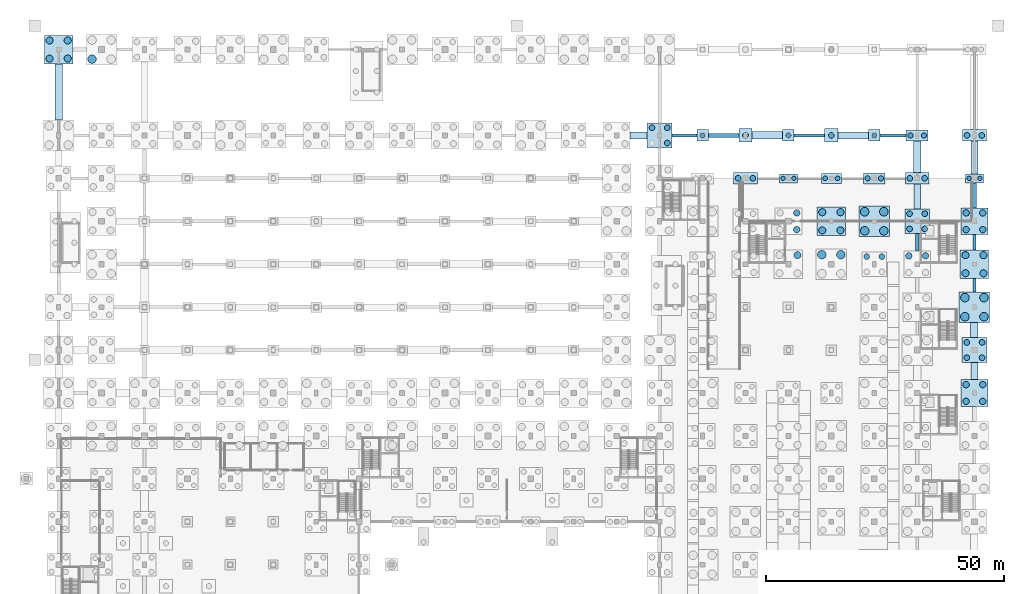
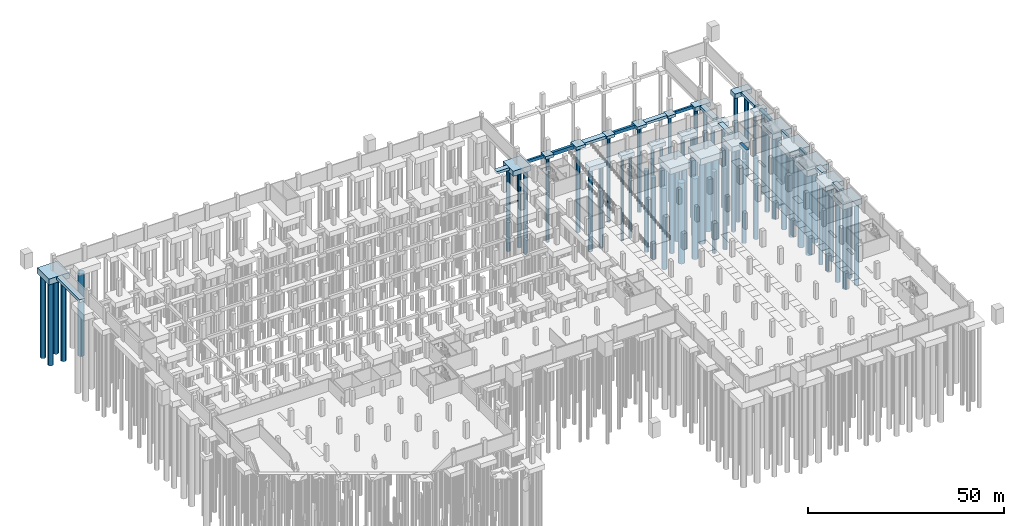
# One storey, part 10 of 37: 70 piles, 40 footings.
"""IFC4 building model written with IfcOpenShell, lengths in metres."""

import ifcopenshell
import ifcopenshell.guid

model = None  # the IFC model being written
_history = None  # IfcOwnerHistory: only IFC2X3 demands one
_inside = {}  # id of a spatial element -> (the spatial element, [elements in it])
_under = {}  # id of a project, library or spatial element -> (it, [spatial elements below it])
_declared = {}  # id of a project -> (the project, [libraries it declares])
_typed = {}  # id of a type object -> (the type object, [elements of that type])
_made_of = {}  # id of a material, layer set ... -> (it, [elements and type objects made of it])


def new_model(schema):
    """Start an empty IFC model of exactly this schema.

    Asked for "IFC4X3", IfcOpenShell would pick the latest addendum, in which some entities
    have other attributes; the version numbers below select the first issue.
    IFC2X3 requires an IfcOwnerHistory on every rooted entity: one is made here for all.
    """
    global model, _history
    if schema == "IFC4X3":
        model = ifcopenshell.file(schema_version=(4, 3, 0, 0))
    else:
        model = ifcopenshell.file(schema=schema)
    _inside.clear()
    _under.clear()
    _declared.clear()
    _typed.clear()
    _made_of.clear()
    _history = None
    if model.schema == "IFC2X3":
        org = make("IfcOrganization", Name="unknown")
        user = make(
            "IfcPersonAndOrganization",
            ThePerson=make("IfcPerson", FamilyName="unknown"),
            TheOrganization=org,
        )
        app = make(
            "IfcApplication",
            ApplicationDeveloper=org,
            Version="unknown",
            ApplicationFullName="unknown",
            ApplicationIdentifier="unknown",
        )
        _history = make(
            "IfcOwnerHistory",
            OwningUser=user,
            OwningApplication=app,
            ChangeAction="ADDED",
            CreationDate=0,
        )
    return model


def make(cls, **values):
    """One entity of the class cls with the attributes given. An attribute that is None is left unset."""
    return model.create_entity(
        cls, **{name: value for name, value in values.items() if value is not None}
    )


def rooted(cls, **values):
    """An entity with a GlobalId (a new one), such as an element, a storey or a relation."""
    return make(cls, GlobalId=ifcopenshell.guid.new(), OwnerHistory=_history, **values)


def si_unit(unit_type, name, prefix=None):
    """IfcSIUnit, for example si_unit("LENGTHUNIT", "METRE", prefix="MILLI")."""
    return make("IfcSIUnit", UnitType=unit_type, Prefix=prefix, Name=name)


def assignment(units):
    """IfcUnitAssignment: the units of a project."""
    return None if units is None else make("IfcUnitAssignment", Units=units)


def point(xyz):
    """IfcCartesianPoint."""
    return None if xyz is None else make("IfcCartesianPoint", Coordinates=xyz)


def direction(xyz):
    """IfcDirection."""
    return None if xyz is None else make("IfcDirection", DirectionRatios=xyz)


def frame(location, z_axis=None, x_axis=None):
    """IfcAxis2Placement3D, a coordinate frame: its origin and axes. An axis left out is left unset."""
    return make(
        "IfcAxis2Placement3D",
        Location=point(location),
        Axis=direction(z_axis),
        RefDirection=direction(x_axis),
    )


def frame_2d(location, x_axis=None):
    """IfcAxis2Placement2D, a coordinate frame in the plane: its origin and x axis."""
    return make(
        "IfcAxis2Placement2D", Location=point(location), RefDirection=direction(x_axis)
    )


def origin():
    """The frame at (0, 0, 0) with its axes left unset."""
    return frame((0.0, 0.0, 0.0))


def origin_2d():
    """The frame at (0, 0) in the plane with its x axis left unset."""
    return frame_2d((0.0, 0.0))


def place(relative_to, where):
    """IfcLocalPlacement: puts the frame where relative to a parent placement (None: the world)."""
    return make(
        "IfcLocalPlacement", PlacementRelTo=relative_to, RelativePlacement=where
    )


def context(
    kind, dimensions, precision=None, world=None, true_north=None, identifier=None
):
    """IfcGeometricRepresentationContext, for example the 3D "Model" context."""
    return make(
        "IfcGeometricRepresentationContext",
        ContextIdentifier=identifier,
        ContextType=kind,
        CoordinateSpaceDimension=dimensions,
        Precision=precision,
        WorldCoordinateSystem=world,
        TrueNorth=true_north,
    )


def subcontext(parent, identifier, kind, view, scale=None):
    """IfcGeometricRepresentationSubContext, for example "Body" below "Model"."""
    return make(
        "IfcGeometricRepresentationSubContext",
        ContextIdentifier=identifier,
        ContextType=kind,
        ParentContext=parent,
        TargetScale=scale,
        TargetView=view,
    )


def project(units=None, contexts=None):
    """IfcProject with its units and contexts."""
    return rooted(
        "IfcProject",
        Name="project",
        RepresentationContexts=contexts,
        UnitsInContext=assignment(units),
    )


def spatial(cls, under=None, at=None, **own):
    """A site, building, storey or space (cls), placed at a placement, below another one or the project."""
    s = rooted(cls, ObjectPlacement=at, **own)
    if under is not None:
        _under.setdefault(under.id(), (under, []))[1].append(s)
    return s


def profile(cls, at=None, kind="AREA", **sizes):
    """A parametric profile (cls). Its sizes go by their IFC names, for example OverallWidth=200.0."""
    return make(cls, ProfileType=kind, Position=at, **sizes)


def rectangle(**sizes):
    """IfcRectangleProfileDef."""
    return profile("IfcRectangleProfileDef", **sizes)


def circle(**sizes):
    """IfcCircleProfileDef."""
    return profile("IfcCircleProfileDef", **sizes)


def extrude(swept, where, along, depth):
    """IfcExtrudedAreaSolid: the profile swept, set in the frame where, extruded along a direction by depth."""
    return make(
        "IfcExtrudedAreaSolid",
        SweptArea=swept,
        Position=where,
        ExtrudedDirection=direction(along),
        Depth=depth,
    )


def shape(context_of_items, identifier, shape_type, items):
    """IfcShapeRepresentation: the items that make up one representation, for example the "Body"."""
    return make(
        "IfcShapeRepresentation",
        ContextOfItems=context_of_items,
        RepresentationIdentifier=identifier,
        RepresentationType=shape_type,
        Items=items,
    )


def material(Name=None, Category=None):
    """IfcMaterial."""
    return make("IfcMaterial", Name=Name, Category=Category)


def material_profile(
    of_material, cross_section, Name=None, Category=None, Priority=None
):
    """IfcMaterialProfile: a cross section and its material."""
    return make(
        "IfcMaterialProfile",
        Name=Name,
        Material=of_material,
        Profile=cross_section,
        Priority=Priority,
        Category=Category,
    )


def profile_set(profiles, Name=None, composite=None):
    """IfcMaterialProfileSet."""
    return make(
        "IfcMaterialProfileSet",
        Name=Name,
        MaterialProfiles=profiles,
        CompositeProfile=composite,
    )


def made_of(thing, what):
    """Note that an element or type object is made of a material, layer set ...; save() writes the relation."""
    if what is not None:
        _made_of.setdefault(what.id(), (what, []))[1].append(thing)
    return thing


def type_object(cls, material=None, **own):
    """A type object (cls), such as IfcWallType, which elements share."""
    return made_of(rooted(cls, **own), material)


def element(
    cls,
    number,
    at=None,
    inside=None,
    cuts=None,
    type_object=None,
    material=None,
    context=None,
    identifier="Body",
    shape_type=None,
    held_by="IfcProductDefinitionShape",
    body=None,
    shapes=None,
    **own,
):
    """One element of the class cls, such as IfcWall. Its Tag is "e" and its number.

    at: its placement. inside: the storey or other place that contains it. cuts: it is an
    opening in that element (IfcRelVoidsElement). A single representation is given by context,
    identifier, shape_type and body (its items); several are given by shapes. held_by: the class
    of the entity that holds the representations. save() writes the other relations.
    """
    e = rooted(cls, Tag="e%d" % number, ObjectPlacement=at, **own)
    if body is not None:
        shapes = [shape(context, identifier, shape_type, body)]
    if shapes is not None:
        e.Representation = make(held_by, Representations=shapes)
    if inside is not None:
        _inside.setdefault(inside.id(), (inside, []))[1].append(e)
    if cuts is not None:
        rooted(
            "IfcRelVoidsElement", RelatingBuildingElement=cuts, RelatedOpeningElement=e
        )
    if type_object is not None:
        _typed.setdefault(type_object.id(), (type_object, []))[1].append(e)
    return made_of(e, material)


def aggregate(whole, parts):
    """IfcRelAggregates: a whole, such as a stair, and the parts it consists of."""
    return rooted("IfcRelAggregates", RelatingObject=whole, RelatedObjects=parts)


def save(model, path):
    """Write the relations noted so far, then the file.

    IfcRelAggregates (storeys below a building ...), IfcRelContainedInSpatialStructure (elements
    in a storey), IfcRelDefinesByType, IfcRelAssociatesMaterial and IfcRelDeclares: one each for
    every whole, place, type object, material and project.
    """
    for whole, parts in _under.values():
        aggregate(whole, parts)
    for where, things in _inside.values():
        rooted(
            "IfcRelContainedInSpatialStructure",
            RelatedElements=things,
            RelatingStructure=where,
        )
    for kind, things in _typed.values():
        rooted("IfcRelDefinesByType", RelatedObjects=things, RelatingType=kind)
    for what, things in _made_of.values():
        rooted("IfcRelAssociatesMaterial", RelatedObjects=things, RelatingMaterial=what)
    for by, libraries in _declared.values():
        rooted("IfcRelDeclares", RelatingContext=by, RelatedDefinitions=libraries)
    model.write(path)


model = new_model("IFC4")

# Units and contexts
model_context = context("Model", 3, precision=1e-05, world=origin(), true_north=direction((0.0, 1.0)))
body_context = subcontext(model_context, "Body", "Model", "MODEL_VIEW")
ifc_project = project(units=[si_unit("LENGTHUNIT", "METRE"), si_unit("AREAUNIT", "SQUARE_METRE"), si_unit("VOLUMEUNIT", "CUBIC_METRE"), si_unit("PLANEANGLEUNIT", "RADIAN"), si_unit("MASSUNIT", "GRAM", prefix="KILO")], contexts=[model_context])

# Site, building, storey
site_placement = place(None, origin())
site = spatial("IfcSite", under=ifc_project, at=site_placement, CompositionType="ELEMENT")
building_placement = place(site_placement, origin())
building = spatial("IfcBuilding", under=site, at=building_placement, Name="Barlavento Convention Centre", CompositionType="ELEMENT")
storey_placement = place(building_placement, frame((0.0, 0.0, -5.0)))
storey = spatial("IfcBuildingStorey", under=building, at=storey_placement, Name="B1", CompositionType="ELEMENT", Elevation=-5.0)

# Footings
ifc_material = material(Name="Concrete C40/50", Category="concrete")
footing_type_1 = type_object("IfcFootingType", Name="STR-FND-GB-600X900", PredefinedType="FOOTING_BEAM", material=ifc_material)
footing_1_placement = place(storey_placement, frame((131.199951171875, 117.0, -0.89990234375), z_axis=(0.0, 0.0, 1.0), x_axis=(1.0, 0.0, 0.0)))
element("IfcFooting", 1, at=footing_1_placement, inside=storey, type_object=footing_type_1, Name="Ground tie footing GB01", PredefinedType="FOOTING_BEAM", context=body_context, shape_type="SweptSolid", body=[
    extrude(rectangle(XDim=5.2099609375, YDim=0.60009765625, at=origin_2d()), origin(), (0.0, 0.0, 1.0), 0.89990234375),
])
footing_2_placement = place(storey_placement, frame((174.949951171875, 117.0, -0.89990234375), z_axis=(0.0, 0.0, 1.0), x_axis=(1.0, 0.0, 0.0)))
element("IfcFooting", 2, at=footing_2_placement, inside=storey, type_object=footing_type_1, Name="Ground tie footing GB01", PredefinedType="FOOTING_BEAM", context=body_context, shape_type="SweptSolid", body=[
    extrude(rectangle(XDim=5.510009765625, YDim=0.60009765625, at=origin_2d()), origin(), (0.0, 0.0, 1.0), 0.89990234375),
])
footing_3_placement = place(storey_placement, frame((192.0, 85.60009765625, -0.89990234375), z_axis=(0.0, 0.0, 1.0), x_axis=(1.0, 0.0, 0.0)))
element("IfcFooting", 3, at=footing_3_placement, inside=storey, type_object=footing_type_1, Name="Ground tie footing GB01", PredefinedType="FOOTING_BEAM", context=body_context, shape_type="SweptSolid", body=[
    extrude(rectangle(XDim=0.60009765625, YDim=2.81005859375, at=origin_2d()), origin(), (0.0, 0.0, 1.0), 0.89990234375),
])
footing_type_2 = type_object("IfcFootingType", Name="STR-FND-GB-700X1000", PredefinedType="FOOTING_BEAM", material=ifc_material)
footing_4_placement = place(storey_placement, frame((157.39990234375, 117.0, -1.0), z_axis=(0.0, 0.0, 1.0), x_axis=(1.0, 0.0, 0.0)))
element("IfcFooting", 4, at=footing_4_placement, inside=storey, type_object=footing_type_2, Name="Ground tie footing GB02", PredefinedType="FOOTING_BEAM", context=body_context, shape_type="SweptSolid", body=[
    extrude(rectangle(XDim=6.409912109375, YDim=0.699951171875, at=origin_2d()), origin(), (0.0, 0.0, 1.0), 1.0),
])
footing_5_placement = place(storey_placement, frame((192.0, 94.60009765625, -1.0), z_axis=(0.0, 0.0, 1.0), x_axis=(1.0, 0.0, 0.0)))
element("IfcFooting", 5, at=footing_5_placement, inside=storey, type_object=footing_type_2, Name="Ground tie footing GB02", PredefinedType="FOOTING_BEAM", context=body_context, shape_type="SweptSolid", body=[
    extrude(rectangle(XDim=0.699951171875, YDim=3.2099609375, at=origin_2d()), origin(), (0.0, 0.0, 1.0), 1.0),
])
footing_type_3 = type_object("IfcFootingType", Name="STR-FND-GB-800X1100", PredefinedType="FOOTING_BEAM", material=ifc_material)
footing_6_placement = place(storey_placement, frame((139.39990234375, 117.0, -1.10009765625), z_axis=(0.0, 0.0, 1.0), x_axis=(1.0, 0.0, 0.0)))
element("IfcFooting", 6, at=footing_6_placement, inside=storey, type_object=footing_type_3, Name="Ground tie footing GB03", PredefinedType="FOOTING_BEAM", context=body_context, shape_type="SweptSolid", body=[
    extrude(rectangle(XDim=6.409912109375, YDim=0.800048828125, at=origin_2d()), origin(), (0.0, 0.0, 1.0), 1.10009765625),
])
footing_7_placement = place(storey_placement, frame((180.0, 94.60009765625, -1.10009765625), z_axis=(0.0, 0.0, 1.0), x_axis=(1.0, 0.0, 0.0)))
element("IfcFooting", 7, at=footing_7_placement, inside=storey, type_object=footing_type_3, Name="Ground tie footing GB03", PredefinedType="FOOTING_BEAM", context=body_context, shape_type="SweptSolid", body=[
    extrude(rectangle(XDim=0.800048828125, YDim=3.610107421875, at=origin_2d()), origin(), (0.0, 0.0, 1.0), 1.10009765625),
])
footing_8_placement = place(storey_placement, frame((192.0, 104.425048828125, -1.10009765625), z_axis=(0.0, 0.0, 1.0), x_axis=(1.0, 0.0, 0.0)))
element("IfcFooting", 8, at=footing_8_placement, inside=storey, type_object=footing_type_3, Name="Ground tie footing GB03", PredefinedType="FOOTING_BEAM", context=body_context, shape_type="SweptSolid", body=[
    extrude(rectangle(XDim=0.800048828125, YDim=5.260009765625, at=origin_2d()), origin(), (0.0, 0.0, 1.0), 1.10009765625),
])
footing_type_4 = type_object("IfcFootingType", Name="STR-FND-PAD-2400", PredefinedType="PAD_FOOTING", material=ifc_material)
for number, where, z_axis, x_axis, name in (
    (9, (135.0, 117.0, -0.89990234375), (0.0, 0.0, 1.0), (1.0, 0.0, 0.0), "Pile cap PF01 at 16-P"),
    (10, (153.0, 117.0, -0.89990234375), (0.0, 0.0, 1.0), (1.0, 0.0, 0.0), "Pile cap PF01 at 18-P"),
    (11, (171.0, 117.0, -0.89990234375), (0.0, 0.0, 1.0), (1.0, 0.0, 0.0), "Pile cap PF01 at 20-P"),
):
    element("IfcFooting", number, at=place(storey_placement, frame(where, z_axis=z_axis, x_axis=x_axis)), inside=storey, type_object=footing_type_4, Name=name, PredefinedType="PAD_FOOTING", context=body_context, shape_type="SweptSolid", body=[
        extrude(rectangle(XDim=2.39990234375, YDim=2.39990234375, at=origin_2d()), origin(), (0.0, 0.0, 1.0), 0.89990234375),
    ])
footing_type_5 = type_object("IfcFootingType", Name="STR-FND-PAD-2800", PredefinedType="PAD_FOOTING", material=ifc_material)
for number, where, z_axis, x_axis, name in (
    (12, (144.0, 117.0, -0.9501953125), (0.0, 0.0, 1.0), (1.0, 0.0, 0.0), "Pile cap PF02 at 17-P"),
    (13, (162.0, 117.0, -0.9501953125), (0.0, 0.0, 1.0), (1.0, 0.0, 0.0), "Pile cap PF02 at 19-P"),
):
    element("IfcFooting", number, at=place(storey_placement, frame(where, z_axis=z_axis, x_axis=x_axis)), inside=storey, type_object=footing_type_5, Name=name, PredefinedType="PAD_FOOTING", context=body_context, shape_type="SweptSolid", body=[
        extrude(rectangle(XDim=2.800048828125, YDim=2.800048828125, at=origin_2d()), origin(), (0.0, 0.0, 1.0), 0.949951171875),
    ])
footing_type_6 = type_object("IfcFootingType", Name="STR-FND-PC2-3800X1900", PredefinedType="PILE_CAP", material=ifc_material)
for number, where, z_axis, x_axis, name in (
    (14, (153.0, 108.0, -1.72021484375), (0.0, 0.0, 1.0), (1.0, 0.0, 0.0), "Pile cap PC03 at 18-N"),
    (15, (192.0, 108.0, -1.72021484375), (0.0, 0.0, 1.0), (1.0, 0.0, 0.0), "Pile cap PC03 at 22-N"),
):
    element("IfcFooting", number, at=place(storey_placement, frame(where, z_axis=z_axis, x_axis=x_axis)), inside=storey, type_object=footing_type_6, Name=name, PredefinedType="PILE_CAP", context=body_context, shape_type="SweptSolid", body=[
        extrude(rectangle(XDim=3.800048828125, YDim=1.89990234375, at=origin_2d()), origin(), (0.0, 0.0, 1.0), 1.199951171875),
    ])
footing_type_7 = type_object("IfcFootingType", Name="STR-FND-PC2-4200X2100", PredefinedType="PILE_CAP", material=ifc_material)
footing_9_placement = place(storey_placement, frame((162.0, 108.0, -1.77001953125), z_axis=(0.0, 0.0, 1.0), x_axis=(1.0, 0.0, 0.0)))
element("IfcFooting", 16, at=footing_9_placement, inside=storey, type_object=footing_type_7, Name="Pile cap PC04 at 19-N", PredefinedType="PILE_CAP", context=body_context, shape_type="SweptSolid", body=[
    extrude(rectangle(XDim=4.199951171875, YDim=2.10009765625, at=origin_2d()), origin(), (0.0, 0.0, 1.0), 1.25),
])
footing_type_8 = type_object("IfcFootingType", Name="STR-FND-PC2-4600X2300", PredefinedType="PILE_CAP", material=ifc_material)
for number, where, z_axis, x_axis, name in (
    (17, (171.0, 108.0, -1.8701171875), (0.0, 0.0, 1.0), (1.0, 0.0, 0.0), "Pile cap PC05 at 20-N"),
    (18, (180.0, 117.0, -1.35009765625), (0.0, 0.0, 1.0), (1.0, 0.0, 0.0), "Pile cap PC05 at 21-P"),
):
    element("IfcFooting", number, at=place(storey_placement, frame(where, z_axis=z_axis, x_axis=x_axis)), inside=storey, type_object=footing_type_8, Name=name, PredefinedType="PILE_CAP", context=body_context, shape_type="SweptSolid", body=[
        extrude(rectangle(XDim=4.60009765625, YDim=2.300048828125, at=origin_2d()), origin(), (0.0, 0.0, 1.0), 1.35009765625),
    ])
footing_type_9 = type_object("IfcFootingType", Name="STR-FND-PC2-5000X2400", PredefinedType="PILE_CAP", material=ifc_material)
for number, where, z_axis, x_axis, name in (
    (19, (144.0, 108.0, -1.919921875), (0.0, 0.0, 1.0), (1.0, 0.0, 0.0), "Pile cap PC06 at 17-N"),
    (20, (180.0, 108.0, -1.919921875), (0.0, 0.0, 1.0), (1.0, 0.0, 0.0), "Pile cap PC06 at 21-N"),
    (21, (192.0, 117.0, -1.39990234375), (0.0, 0.0, 1.0), (1.0, 0.0, 0.0), "Pile cap PC06 at 22-P"),
):
    element("IfcFooting", number, at=place(storey_placement, frame(where, z_axis=z_axis, x_axis=x_axis)), inside=storey, type_object=footing_type_9, Name=name, PredefinedType="PILE_CAP", context=body_context, shape_type="SweptSolid", body=[
        extrude(rectangle(XDim=5.0, YDim=2.39990234375, at=origin_2d()), origin(), (0.0, 0.0, 1.0), 1.39990234375),
    ])
footing_type_10 = type_object("IfcFootingType", Name="STR-FND-PC4-5200", PredefinedType="PILE_CAP", material=ifc_material)
for number, where, z_axis, x_axis, name in (
    (22, (126.0, 117.0, -1.60009765625), (0.0, 0.0, 1.0), (1.0, 0.0, 0.0), "Pile cap PC09 at 15-P"),
    (23, (180.0, 99.0, -2.1201171875), (0.0, 0.0, 1.0), (1.0, 0.0, 0.0), "Pile cap PC09 at 21-M"),
    (24, (192.0, 72.0, -2.1201171875), (0.0, 0.0, 1.0), (1.0, 0.0, 0.0), "Pile cap PC09 at 22-J"),
):
    element("IfcFooting", number, at=place(storey_placement, frame(where, z_axis=z_axis, x_axis=x_axis)), inside=storey, type_object=footing_type_10, Name=name, PredefinedType="PILE_CAP", context=body_context, shape_type="SweptSolid", body=[
        extrude(rectangle(XDim=5.199951171875, YDim=5.199951171875, at=origin_2d()), origin(), (0.0, 0.0, 1.0), 1.60009765625),
    ])
footing_type_11 = type_object("IfcFootingType", Name="STR-FND-PC4-5600", PredefinedType="PILE_CAP", material=ifc_material)
for number, where, z_axis, x_axis, name in (
    (25, (192.0, 63.0, -2.22021484375), (0.0, 0.0, 1.0), (1.0, 0.0, 0.0), "Pile cap PC10 at 22-H"),
    (26, (192.0, 99.0, -2.22021484375), (0.0, 0.0, 1.0), (1.0, 0.0, 0.0), "Pile cap PC10 at 22-M"),
):
    element("IfcFooting", number, at=place(storey_placement, frame(where, z_axis=z_axis, x_axis=x_axis)), inside=storey, type_object=footing_type_11, Name=name, PredefinedType="PILE_CAP", context=body_context, shape_type="SweptSolid", body=[
        extrude(rectangle(XDim=5.60009765625, YDim=5.60009765625, at=origin_2d()), origin(), (0.0, 0.0, 1.0), 1.699951171875),
    ])
footing_type_12 = type_object("IfcFootingType", Name="STR-FND-PC4-6000", PredefinedType="PILE_CAP", material=ifc_material)
for number, where, z_axis, x_axis, name in (
    (27, (0.0, 135.0, -1.7998046875), (0.0, 0.0, 1.0), (1.0, 0.0, 0.0), "Pile cap PC11 at 1-Q"),
    (28, (162.0, 99.0, -2.31982421875), (0.0, 0.0, 1.0), (1.0, 0.0, 0.0), "Pile cap PC11 at 19-M"),
    (29, (192.0, 90.0, -2.31982421875), (0.0, 0.0, 1.0), (1.0, 0.0, 0.0), "Pile cap PC11 at 22-L"),
):
    element("IfcFooting", number, at=place(storey_placement, frame(where, z_axis=z_axis, x_axis=x_axis)), inside=storey, type_object=footing_type_12, Name=name, PredefinedType="PILE_CAP", context=body_context, shape_type="SweptSolid", body=[
        extrude(rectangle(XDim=6.0, YDim=6.0, at=origin_2d()), origin(), (0.0, 0.0, 1.0), 1.800048828125),
    ])
footing_type_13 = type_object("IfcFootingType", Name="STR-FND-PC4-6400", PredefinedType="PILE_CAP", material=ifc_material)
for number, where, z_axis, x_axis, name in (
    (30, (171.0, 99.0, -2.419921875), (0.0, 0.0, 1.0), (1.0, 0.0, 0.0), "Pile cap PC12 at 20-M"),
    (31, (192.0, 81.0, -2.419921875), (0.0, 0.0, 1.0), (1.0, 0.0, 0.0), "Pile cap PC12 at 22-K"),
):
    element("IfcFooting", number, at=place(storey_placement, frame(where, z_axis=z_axis, x_axis=x_axis)), inside=storey, type_object=footing_type_13, Name=name, PredefinedType="PILE_CAP", context=body_context, shape_type="SweptSolid", body=[
        extrude(rectangle(XDim=6.39990234375, YDim=6.39990234375, at=origin_2d()), origin(), (0.0, 0.0, 1.0), 1.89990234375),
    ])
footing_type_14 = type_object("IfcFootingType", Name="STR-FND-SF-1400X800", PredefinedType="STRIP_FOOTING", material=ifc_material)
footing_10_placement = place(storey_placement, frame((121.60009765625, 117.0, -0.7998046875), z_axis=(0.0, 0.0, 1.0), x_axis=(1.0, 0.0, 0.0)))
element("IfcFooting", 32, at=footing_10_placement, inside=storey, type_object=footing_type_14, Name="Ground tie footing SF01", PredefinedType="STRIP_FOOTING", context=body_context, shape_type="SweptSolid", body=[
    extrude(rectangle(XDim=3.610107421875, YDim=1.39990234375, at=origin_2d()), origin(), (0.0, 0.0, 1.0), 0.800048828125),
])
footing_11_placement = place(storey_placement, frame((166.60009765625, 117.0, -0.7998046875), z_axis=(0.0, 0.0, 1.0), x_axis=(1.0, 0.0, 0.0)))
element("IfcFooting", 33, at=footing_11_placement, inside=storey, type_object=footing_type_14, Name="Ground tie footing SF01", PredefinedType="STRIP_FOOTING", context=body_context, shape_type="SweptSolid", body=[
    extrude(rectangle(XDim=6.409912109375, YDim=1.39990234375, at=origin_2d()), origin(), (0.0, 0.0, 1.0), 0.800048828125),
])
footing_12_placement = place(storey_placement, frame((180.0, 104.199951171875, -0.7998046875), z_axis=(0.0, 0.0, 1.0), x_axis=(1.0, 0.0, 0.0)))
element("IfcFooting", 34, at=footing_12_placement, inside=storey, type_object=footing_type_14, Name="Ground tie footing SF01", PredefinedType="STRIP_FOOTING", context=body_context, shape_type="SweptSolid", body=[
    extrude(rectangle(XDim=1.39990234375, YDim=5.2099609375, at=origin_2d()), origin(), (0.0, 0.0, 1.0), 0.800048828125),
])
footing_13_placement = place(storey_placement, frame((192.0, 67.60009765625, -0.7998046875), z_axis=(0.0, 0.0, 1.0), x_axis=(1.0, 0.0, 0.0)))
element("IfcFooting", 35, at=footing_13_placement, inside=storey, type_object=footing_type_14, Name="Ground tie footing SF01", PredefinedType="STRIP_FOOTING", context=body_context, shape_type="SweptSolid", body=[
    extrude(rectangle(XDim=1.39990234375, YDim=3.610107421875, at=origin_2d()), origin(), (0.0, 0.0, 1.0), 0.800048828125),
])
footing_14_placement = place(storey_placement, frame((192.0, 112.375, -0.7998046875), z_axis=(0.0, 0.0, 1.0), x_axis=(1.0, 0.0, 0.0)))
element("IfcFooting", 36, at=footing_14_placement, inside=storey, type_object=footing_type_14, Name="Ground tie footing SF01", PredefinedType="STRIP_FOOTING", context=body_context, shape_type="SweptSolid", body=[
    extrude(rectangle(XDim=1.39990234375, YDim=6.860107421875, at=origin_2d()), origin(), (0.0, 0.0, 1.0), 0.800048828125),
])
footing_type_15 = type_object("IfcFootingType", Name="STR-FND-SF-1600X900", PredefinedType="STRIP_FOOTING", material=ifc_material)
footing_15_placement = place(storey_placement, frame((148.60009765625, 117.0, -0.89990234375), z_axis=(0.0, 0.0, 1.0), x_axis=(1.0, 0.0, 0.0)))
element("IfcFooting", 37, at=footing_15_placement, inside=storey, type_object=footing_type_15, Name="Ground tie footing SF02", PredefinedType="STRIP_FOOTING", context=body_context, shape_type="SweptSolid", body=[
    extrude(rectangle(XDim=6.409912109375, YDim=1.60009765625, at=origin_2d()), origin(), (0.0, 0.0, 1.0), 0.89990234375),
])
footing_16_placement = place(storey_placement, frame((0.0, 126.10009765625, -0.89990234375), z_axis=(0.0, 0.0, 1.0), x_axis=(1.0, 0.0, 0.0)))
element("IfcFooting", 38, at=footing_16_placement, inside=storey, type_object=footing_type_15, Name="Ground tie footing SF02", PredefinedType="STRIP_FOOTING", context=body_context, shape_type="SweptSolid", body=[
    extrude(rectangle(XDim=1.60009765625, YDim=11.81005859375, at=origin_2d()), origin(), (0.0, 0.0, 1.0), 0.89990234375),
])
footing_17_placement = place(storey_placement, frame((180.0, 112.52490234375, -0.89990234375), z_axis=(0.0, 0.0, 1.0), x_axis=(1.0, 0.0, 0.0)))
element("IfcFooting", 39, at=footing_17_placement, inside=storey, type_object=footing_type_15, Name="Ground tie footing SF02", PredefinedType="STRIP_FOOTING", context=body_context, shape_type="SweptSolid", body=[
    extrude(rectangle(XDim=1.60009765625, YDim=6.659912109375, at=origin_2d()), origin(), (0.0, 0.0, 1.0), 0.89990234375),
])
footing_18_placement = place(storey_placement, frame((192.0, 76.199951171875, -0.89990234375), z_axis=(0.0, 0.0, 1.0), x_axis=(1.0, 0.0, 0.0)))
element("IfcFooting", 40, at=footing_18_placement, inside=storey, type_object=footing_type_15, Name="Ground tie footing SF02", PredefinedType="STRIP_FOOTING", context=body_context, shape_type="SweptSolid", body=[
    extrude(rectangle(XDim=1.60009765625, YDim=3.2099609375, at=origin_2d()), origin(), (0.0, 0.0, 1.0), 0.89990234375),
])

# Piles
ifc_material_profile_1 = material_profile(ifc_material, circle(Radius=0.5, at=origin_2d()), Name="BORED PILE 1000")
ifc_profile_set_1 = profile_set([ifc_material_profile_1], Name="Concrete C40/50")
pile_type_1 = type_object("IfcPileType", Name="STR-PIL-B1000", PredefinedType="BORED", material=ifc_profile_set_1)
for number, where, z_axis, x_axis, name in (
    (41, (160.699951171875, 108.0, -1.669921875), (0.0, 0.0, -1.0), (1.0, 0.0, 0.0), "Bored pile P10 under FND-CAP-0254"),
    (42, (163.300048828125, 108.0, -1.669921875), (0.0, 0.0, -1.0), (1.0, 0.0, 0.0), "Bored pile P10 under FND-CAP-0254"),
):
    element("IfcPile", number, at=place(storey_placement, frame(where, z_axis=z_axis, x_axis=x_axis)), inside=storey, type_object=pile_type_1, Name=name, PredefinedType="BORED", context=body_context, shape_type="SweptSolid", body=[
        extrude(circle(Radius=0.5, at=origin_2d()), origin(), (0.0, 0.0, 1.0), 25.830078125),
    ])
ifc_material_profile_2 = material_profile(ifc_material, circle(Radius=0.550048828125, at=origin_2d()), Name="BORED PILE 1100")
ifc_profile_set_2 = profile_set([ifc_material_profile_2], Name="Concrete C40/50")
pile_type_2 = type_object("IfcPileType", Name="STR-PIL-B1100", PredefinedType="BORED", material=ifc_profile_set_2)
for number, where, z_axis, x_axis, name in (
    (43, (169.60009765625, 108.0, -1.77001953125), (0.0, 0.0, -1.0), (1.0, 0.0, 0.0), "Bored pile P11 under FND-CAP-0269"),
    (44, (172.39990234375, 108.0, -1.77001953125), (0.0, 0.0, -1.0), (1.0, 0.0, 0.0), "Bored pile P11 under FND-CAP-0269"),
):
    element("IfcPile", number, at=place(storey_placement, frame(where, z_axis=z_axis, x_axis=x_axis)), inside=storey, type_object=pile_type_2, Name=name, PredefinedType="BORED", context=body_context, shape_type="SweptSolid", body=[
        extrude(circle(Radius=0.550048828125, at=origin_2d()), origin(), (0.0, 0.0, 1.0), 25.72998046875),
    ])
for number, where, z_axis, x_axis, name in (
    (45, (178.60009765625, 117.0, -1.25), (0.0, 0.0, -1.0), (1.0, 0.0, 0.0), "Bored pile P11 under FND-CAP-0285"),
    (46, (181.39990234375, 117.0, -1.25), (0.0, 0.0, -1.0), (1.0, 0.0, 0.0), "Bored pile P11 under FND-CAP-0285"),
):
    element("IfcPile", number, at=place(storey_placement, frame(where, z_axis=z_axis, x_axis=x_axis)), inside=storey, type_object=pile_type_2, Name=name, PredefinedType="BORED", context=body_context, shape_type="SweptSolid", body=[
        extrude(circle(Radius=0.550048828125, at=origin_2d()), origin(), (0.0, 0.0, 1.0), 26.25),
    ])
ifc_material_profile_3 = material_profile(ifc_material, circle(Radius=0.60009765625, at=origin_2d()), Name="BORED PILE 1200")
ifc_profile_set_3 = profile_set([ifc_material_profile_3], Name="Concrete C40/50")
pile_type_3 = type_object("IfcPileType", Name="STR-PIL-B1200", PredefinedType="BORED", material=ifc_profile_set_3)
for number, where, z_axis, x_axis, name in (
    (47, (127.60009765625, 115.39990234375, -1.5), (0.0, 0.0, -1.0), (1.0, 0.0, 0.0), "Bored pile P12 under FND-CAP-0195"),
    (48, (124.39990234375, 118.60009765625, -1.5), (0.0, 0.0, -1.0), (1.0, 0.0, 0.0), "Bored pile P12 under FND-CAP-0195"),
    (49, (127.60009765625, 118.60009765625, -1.5), (0.0, 0.0, -1.0), (1.0, 0.0, 0.0), "Bored pile P12 under FND-CAP-0195"),
):
    element("IfcPile", number, at=place(storey_placement, frame(where, z_axis=z_axis, x_axis=x_axis)), inside=storey, type_object=pile_type_3, Name=name, PredefinedType="BORED", context=body_context, shape_type="SweptSolid", body=[
        extrude(circle(Radius=0.60009765625, at=origin_2d()), origin(), (0.0, 0.0, 1.0), 26.0),
    ])
for number, where, z_axis, x_axis, name in (
    (50, (142.449951171875, 108.0, -1.820068359375), (0.0, 0.0, -1.0), (1.0, 0.0, 0.0), "Bored pile P12 under FND-CAP-0224"),
    (51, (145.550048828125, 108.0, -1.820068359375), (0.0, 0.0, -1.0), (1.0, 0.0, 0.0), "Bored pile P12 under FND-CAP-0224"),
):
    element("IfcPile", number, at=place(storey_placement, frame(where, z_axis=z_axis, x_axis=x_axis)), inside=storey, type_object=pile_type_3, Name=name, PredefinedType="BORED", context=body_context, shape_type="SweptSolid", body=[
        extrude(circle(Radius=0.60009765625, at=origin_2d()), origin(), (0.0, 0.0, 1.0), 25.679931640625),
    ])
for number, where, z_axis, x_axis, name in (
    (52, (144.0, 117.0, -0.85009765625), (0.0, 0.0, -1.0), (1.0, 0.0, 0.0), "Bored pile P12 under FND-CAP-0225"),
    (53, (162.0, 117.0, -0.85009765625), (0.0, 0.0, -1.0), (1.0, 0.0, 0.0), "Bored pile P12 under FND-CAP-0255"),
):
    element("IfcPile", number, at=place(storey_placement, frame(where, z_axis=z_axis, x_axis=x_axis)), inside=storey, type_object=pile_type_3, Name=name, PredefinedType="BORED", context=body_context, shape_type="SweptSolid", body=[
        extrude(circle(Radius=0.60009765625, at=origin_2d()), origin(), (0.0, 0.0, 1.0), 26.64990234375),
    ])
for number, where, z_axis, x_axis, name in (
    (54, (169.39990234375, 91.60009765625, -2.02001953125), (0.0, 0.0, -1.0), (1.0, 0.0, 0.0), "Bored pile P12 under FND-CAP-0267"),
    (55, (172.60009765625, 91.60009765625, -2.02001953125), (0.0, 0.0, -1.0), (1.0, 0.0, 0.0), "Bored pile P12 under FND-CAP-0267"),
    (56, (178.39990234375, 97.39990234375, -2.02001953125), (0.0, 0.0, -1.0), (1.0, 0.0, 0.0), "Bored pile P12 under FND-CAP-0283"),
    (57, (181.60009765625, 97.39990234375, -2.02001953125), (0.0, 0.0, -1.0), (1.0, 0.0, 0.0), "Bored pile P12 under FND-CAP-0283"),
    (58, (178.39990234375, 100.60009765625, -2.02001953125), (0.0, 0.0, -1.0), (1.0, 0.0, 0.0), "Bored pile P12 under FND-CAP-0283"),
    (59, (181.60009765625, 100.60009765625, -2.02001953125), (0.0, 0.0, -1.0), (1.0, 0.0, 0.0), "Bored pile P12 under FND-CAP-0283"),
):
    element("IfcPile", number, at=place(storey_placement, frame(where, z_axis=z_axis, x_axis=x_axis)), inside=storey, type_object=pile_type_3, Name=name, PredefinedType="BORED", context=body_context, shape_type="SweptSolid", body=[
        extrude(circle(Radius=0.60009765625, at=origin_2d()), origin(), (0.0, 0.0, 1.0), 25.47998046875),
    ])
for number, where, z_axis, x_axis, name in (
    (60, (178.449951171875, 108.0, -1.820068359375), (0.0, 0.0, -1.0), (1.0, 0.0, 0.0), "Bored pile P12 under FND-CAP-0284"),
    (61, (181.550048828125, 108.0, -1.820068359375), (0.0, 0.0, -1.0), (1.0, 0.0, 0.0), "Bored pile P12 under FND-CAP-0284"),
):
    element("IfcPile", number, at=place(storey_placement, frame(where, z_axis=z_axis, x_axis=x_axis)), inside=storey, type_object=pile_type_3, Name=name, PredefinedType="BORED", context=body_context, shape_type="SweptSolid", body=[
        extrude(circle(Radius=0.60009765625, at=origin_2d()), origin(), (0.0, 0.0, 1.0), 25.679931640625),
    ])
for number, where, z_axis, x_axis, name in (
    (62, (190.39990234375, 70.39990234375, -2.02001953125), (0.0, 0.0, -1.0), (1.0, 0.0, 0.0), "Bored pile P12 under FND-CAP-0295"),
    (63, (193.60009765625, 70.39990234375, -2.02001953125), (0.0, 0.0, -1.0), (1.0, 0.0, 0.0), "Bored pile P12 under FND-CAP-0295"),
    (64, (190.39990234375, 73.60009765625, -2.02001953125), (0.0, 0.0, -1.0), (1.0, 0.0, 0.0), "Bored pile P12 under FND-CAP-0295"),
    (65, (193.60009765625, 73.60009765625, -2.02001953125), (0.0, 0.0, -1.0), (1.0, 0.0, 0.0), "Bored pile P12 under FND-CAP-0295"),
):
    element("IfcPile", number, at=place(storey_placement, frame(where, z_axis=z_axis, x_axis=x_axis)), inside=storey, type_object=pile_type_3, Name=name, PredefinedType="BORED", context=body_context, shape_type="SweptSolid", body=[
        extrude(circle(Radius=0.60009765625, at=origin_2d()), origin(), (0.0, 0.0, 1.0), 25.47998046875),
    ])
for number, where, z_axis, x_axis, name in (
    (66, (190.449951171875, 117.0, -1.300048828125), (0.0, 0.0, -1.0), (1.0, 0.0, 0.0), "Bored pile P12 under FND-CAP-0300"),
    (67, (193.550048828125, 117.0, -1.300048828125), (0.0, 0.0, -1.0), (1.0, 0.0, 0.0), "Bored pile P12 under FND-CAP-0300"),
):
    element("IfcPile", number, at=place(storey_placement, frame(where, z_axis=z_axis, x_axis=x_axis)), inside=storey, type_object=pile_type_3, Name=name, PredefinedType="BORED", context=body_context, shape_type="SweptSolid", body=[
        extrude(circle(Radius=0.60009765625, at=origin_2d()), origin(), (0.0, 0.0, 1.0), 26.199951171875),
    ])
ifc_material_profile_4 = material_profile(ifc_material, circle(Radius=0.675048828125, at=origin_2d()), Name="BORED PILE 1350")
ifc_profile_set_4 = profile_set([ifc_material_profile_4], Name="Concrete C40/50")
pile_type_4 = type_object("IfcPileType", Name="STR-PIL-B1350", PredefinedType="BORED", material=ifc_profile_set_4)
for number, where, z_axis, x_axis, name in (
    (68, (154.75, 97.25, -2.1201171875), (0.0, 0.0, -1.0), (1.0, 0.0, 0.0), "Bored pile P13 under FND-CAP-0238"),
    (69, (154.75, 100.75, -2.1201171875), (0.0, 0.0, -1.0), (1.0, 0.0, 0.0), "Bored pile P13 under FND-CAP-0238"),
    (70, (178.25, 91.75, -2.1201171875), (0.0, 0.0, -1.0), (1.0, 0.0, 0.0), "Bored pile P13 under FND-CAP-0282"),
    (71, (181.75, 91.75, -2.1201171875), (0.0, 0.0, -1.0), (1.0, 0.0, 0.0), "Bored pile P13 under FND-CAP-0282"),
    (72, (190.25, 61.25, -2.1201171875), (0.0, 0.0, -1.0), (1.0, 0.0, 0.0), "Bored pile P13 under FND-CAP-0294"),
    (73, (193.75, 61.25, -2.1201171875), (0.0, 0.0, -1.0), (1.0, 0.0, 0.0), "Bored pile P13 under FND-CAP-0294"),
    (74, (190.25, 64.75, -2.1201171875), (0.0, 0.0, -1.0), (1.0, 0.0, 0.0), "Bored pile P13 under FND-CAP-0294"),
    (75, (193.75, 64.75, -2.1201171875), (0.0, 0.0, -1.0), (1.0, 0.0, 0.0), "Bored pile P13 under FND-CAP-0294"),
    (76, (190.25, 97.25, -2.1201171875), (0.0, 0.0, -1.0), (1.0, 0.0, 0.0), "Bored pile P13 under FND-CAP-0298"),
    (77, (193.75, 97.25, -2.1201171875), (0.0, 0.0, -1.0), (1.0, 0.0, 0.0), "Bored pile P13 under FND-CAP-0298"),
    (78, (190.25, 100.75, -2.1201171875), (0.0, 0.0, -1.0), (1.0, 0.0, 0.0), "Bored pile P13 under FND-CAP-0298"),
    (79, (193.75, 100.75, -2.1201171875), (0.0, 0.0, -1.0), (1.0, 0.0, 0.0), "Bored pile P13 under FND-CAP-0298"),
):
    element("IfcPile", number, at=place(storey_placement, frame(where, z_axis=z_axis, x_axis=x_axis)), inside=storey, type_object=pile_type_4, Name=name, PredefinedType="BORED", context=body_context, shape_type="SweptSolid", body=[
        extrude(circle(Radius=0.675048828125, at=origin_2d()), origin(), (0.0, 0.0, 1.0), 25.3798828125),
    ])
ifc_material_profile_5 = material_profile(ifc_material, circle(Radius=0.75, at=origin_2d()), Name="BORED PILE 1500")
ifc_profile_set_5 = profile_set([ifc_material_profile_5], Name="Concrete C40/50")
pile_type_5 = type_object("IfcPileType", Name="STR-PIL-B1500", PredefinedType="BORED", material=ifc_profile_set_5)
for number, where, z_axis, x_axis, name in (
    (80, (-1.89990234375, 133.10009765625, -1.699951171875), (0.0, 0.0, -1.0), (1.0, 0.0, 0.0), "Bored pile P15 under FND-CAP-0013"),
    (81, (1.89990234375, 133.10009765625, -1.699951171875), (0.0, 0.0, -1.0), (1.0, 0.0, 0.0), "Bored pile P15 under FND-CAP-0013"),
    (82, (-1.89990234375, 136.89990234375, -1.699951171875), (0.0, 0.0, -1.0), (1.0, 0.0, 0.0), "Bored pile P15 under FND-CAP-0013"),
    (83, (1.89990234375, 136.89990234375, -1.699951171875), (0.0, 0.0, -1.0), (1.0, 0.0, 0.0), "Bored pile P15 under FND-CAP-0013"),
):
    element("IfcPile", number, at=place(storey_placement, frame(where, z_axis=z_axis, x_axis=x_axis)), inside=storey, type_object=pile_type_5, Name=name, PredefinedType="BORED", context=body_context, shape_type="SweptSolid", body=[
        extrude(circle(Radius=0.75, at=origin_2d()), origin(), (0.0, 0.0, 1.0), 25.800048828125),
    ])
for number, where, z_axis, x_axis, name in (
    (84, (154.89990234375, 91.89990234375, -2.219970703125), (0.0, 0.0, -1.0), (1.0, 0.0, 0.0), "Bored pile P15 under FND-CAP-0237"),
    (85, (160.10009765625, 97.10009765625, -2.219970703125), (0.0, 0.0, -1.0), (1.0, 0.0, 0.0), "Bored pile P15 under FND-CAP-0253"),
    (86, (163.89990234375, 97.10009765625, -2.219970703125), (0.0, 0.0, -1.0), (1.0, 0.0, 0.0), "Bored pile P15 under FND-CAP-0253"),
    (87, (160.10009765625, 100.89990234375, -2.219970703125), (0.0, 0.0, -1.0), (1.0, 0.0, 0.0), "Bored pile P15 under FND-CAP-0253"),
    (88, (163.89990234375, 100.89990234375, -2.219970703125), (0.0, 0.0, -1.0), (1.0, 0.0, 0.0), "Bored pile P15 under FND-CAP-0253"),
    (89, (190.10009765625, 88.10009765625, -2.219970703125), (0.0, 0.0, -1.0), (1.0, 0.0, 0.0), "Bored pile P15 under FND-CAP-0297"),
    (90, (193.89990234375, 88.10009765625, -2.219970703125), (0.0, 0.0, -1.0), (1.0, 0.0, 0.0), "Bored pile P15 under FND-CAP-0297"),
    (91, (190.10009765625, 91.89990234375, -2.219970703125), (0.0, 0.0, -1.0), (1.0, 0.0, 0.0), "Bored pile P15 under FND-CAP-0297"),
    (92, (193.89990234375, 91.89990234375, -2.219970703125), (0.0, 0.0, -1.0), (1.0, 0.0, 0.0), "Bored pile P15 under FND-CAP-0297"),
):
    element("IfcPile", number, at=place(storey_placement, frame(where, z_axis=z_axis, x_axis=x_axis)), inside=storey, type_object=pile_type_5, Name=name, PredefinedType="BORED", context=body_context, shape_type="SweptSolid", body=[
        extrude(circle(Radius=0.75, at=origin_2d()), origin(), (0.0, 0.0, 1.0), 25.280029296875),
    ])
ifc_material_profile_6 = material_profile(ifc_material, circle(Radius=0.89990234375, at=origin_2d()), Name="BORED PILE 1800")
ifc_profile_set_6 = profile_set([ifc_material_profile_6], Name="Concrete C40/50")
pile_type_6 = type_object("IfcPileType", Name="STR-PIL-B1800", PredefinedType="BORED", material=ifc_profile_set_6)
pile_placement = place(storey_placement, frame((7.0, 133.0, -1.800048828125), z_axis=(0.0, 0.0, -1.0), x_axis=(1.0, 0.0, 0.0)))
element("IfcPile", 93, at=pile_placement, inside=storey, type_object=pile_type_6, Name="Bored pile P18 under FND-CAP-0028", PredefinedType="BORED", context=body_context, shape_type="SweptSolid", body=[
    extrude(circle(Radius=0.89990234375, at=origin_2d()), origin(), (0.0, 0.0, 1.0), 25.699951171875),
])
for number, where, z_axis, x_axis, name in (
    (94, (160.0, 92.0, -2.320068359375), (0.0, 0.0, -1.0), (1.0, 0.0, 0.0), "Bored pile P18 under FND-CAP-0252"),
    (95, (164.0, 92.0, -2.320068359375), (0.0, 0.0, -1.0), (1.0, 0.0, 0.0), "Bored pile P18 under FND-CAP-0252"),
    (96, (169.0, 97.0, -2.320068359375), (0.0, 0.0, -1.0), (1.0, 0.0, 0.0), "Bored pile P18 under FND-CAP-0268"),
    (97, (173.0, 97.0, -2.320068359375), (0.0, 0.0, -1.0), (1.0, 0.0, 0.0), "Bored pile P18 under FND-CAP-0268"),
    (98, (169.0, 101.0, -2.320068359375), (0.0, 0.0, -1.0), (1.0, 0.0, 0.0), "Bored pile P18 under FND-CAP-0268"),
    (99, (173.0, 101.0, -2.320068359375), (0.0, 0.0, -1.0), (1.0, 0.0, 0.0), "Bored pile P18 under FND-CAP-0268"),
    (100, (190.0, 79.0, -2.320068359375), (0.0, 0.0, -1.0), (1.0, 0.0, 0.0), "Bored pile P18 under FND-CAP-0296"),
    (101, (194.0, 79.0, -2.320068359375), (0.0, 0.0, -1.0), (1.0, 0.0, 0.0), "Bored pile P18 under FND-CAP-0296"),
    (102, (190.0, 83.0, -2.320068359375), (0.0, 0.0, -1.0), (1.0, 0.0, 0.0), "Bored pile P18 under FND-CAP-0296"),
    (103, (194.0, 83.0, -2.320068359375), (0.0, 0.0, -1.0), (1.0, 0.0, 0.0), "Bored pile P18 under FND-CAP-0296"),
):
    element("IfcPile", number, at=place(storey_placement, frame(where, z_axis=z_axis, x_axis=x_axis)), inside=storey, type_object=pile_type_6, Name=name, PredefinedType="BORED", context=body_context, shape_type="SweptSolid", body=[
        extrude(circle(Radius=0.89990234375, at=origin_2d()), origin(), (0.0, 0.0, 1.0), 25.179931640625),
    ])
ifc_material_profile_7 = material_profile(ifc_material, circle(Radius=0.449951171875, at=origin_2d()), Name="BORED PILE 900")
ifc_profile_set_7 = profile_set([ifc_material_profile_7], Name="Concrete C40/50")
pile_type_7 = type_object("IfcPileType", Name="STR-PIL-B900", PredefinedType="BORED", material=ifc_profile_set_7)
for number, where, z_axis, x_axis, name in (
    (104, (151.85009765625, 108.0, -1.6201171875), (0.0, 0.0, -1.0), (1.0, 0.0, 0.0), "Bored pile P09 under FND-CAP-0239"),
    (105, (154.14990234375, 108.0, -1.6201171875), (0.0, 0.0, -1.0), (1.0, 0.0, 0.0), "Bored pile P09 under FND-CAP-0239"),
    (106, (190.85009765625, 108.0, -1.6201171875), (0.0, 0.0, -1.0), (1.0, 0.0, 0.0), "Bored pile P09 under FND-CAP-0299"),
    (107, (193.14990234375, 108.0, -1.6201171875), (0.0, 0.0, -1.0), (1.0, 0.0, 0.0), "Bored pile P09 under FND-CAP-0299"),
):
    element("IfcPile", number, at=place(storey_placement, frame(where, z_axis=z_axis, x_axis=x_axis)), inside=storey, type_object=pile_type_7, Name=name, PredefinedType="BORED", context=body_context, shape_type="SweptSolid", body=[
        extrude(circle(Radius=0.449951171875, at=origin_2d()), origin(), (0.0, 0.0, 1.0), 25.8798828125),
    ])
ifc_material_profile_8 = material_profile(ifc_material, circle(Radius=0.5, at=origin_2d()), Name="BORED PILE 1000")
ifc_profile_set_8 = profile_set([ifc_material_profile_8], Name="Concrete C40/50")
pile_type_8 = type_object("IfcPileType", Name="STR-PIL-SUP1000", PredefinedType="SUPPORT", material=ifc_profile_set_8)
for number, where, z_axis, x_axis, name in (
    (108, (135.0, 117.0, -0.800048828125), (0.0, 0.0, -1.0), (1.0, 0.0, 0.0), "Bored pile PS10 under FND-CAP-0210"),
    (109, (153.0, 117.0, -0.800048828125), (0.0, 0.0, -1.0), (1.0, 0.0, 0.0), "Bored pile PS10 under FND-CAP-0240"),
    (110, (171.0, 117.0, -0.800048828125), (0.0, 0.0, -1.0), (1.0, 0.0, 0.0), "Bored pile PS10 under FND-CAP-0270"),
):
    element("IfcPile", number, at=place(storey_placement, frame(where, z_axis=z_axis, x_axis=x_axis)), inside=storey, type_object=pile_type_8, Name=name, PredefinedType="SUPPORT", context=body_context, shape_type="SweptSolid", body=[
        extrude(circle(Radius=0.5, at=origin_2d()), origin(), (0.0, 0.0, 1.0), 26.699951171875),
    ])

save(model, "model.ifc")
